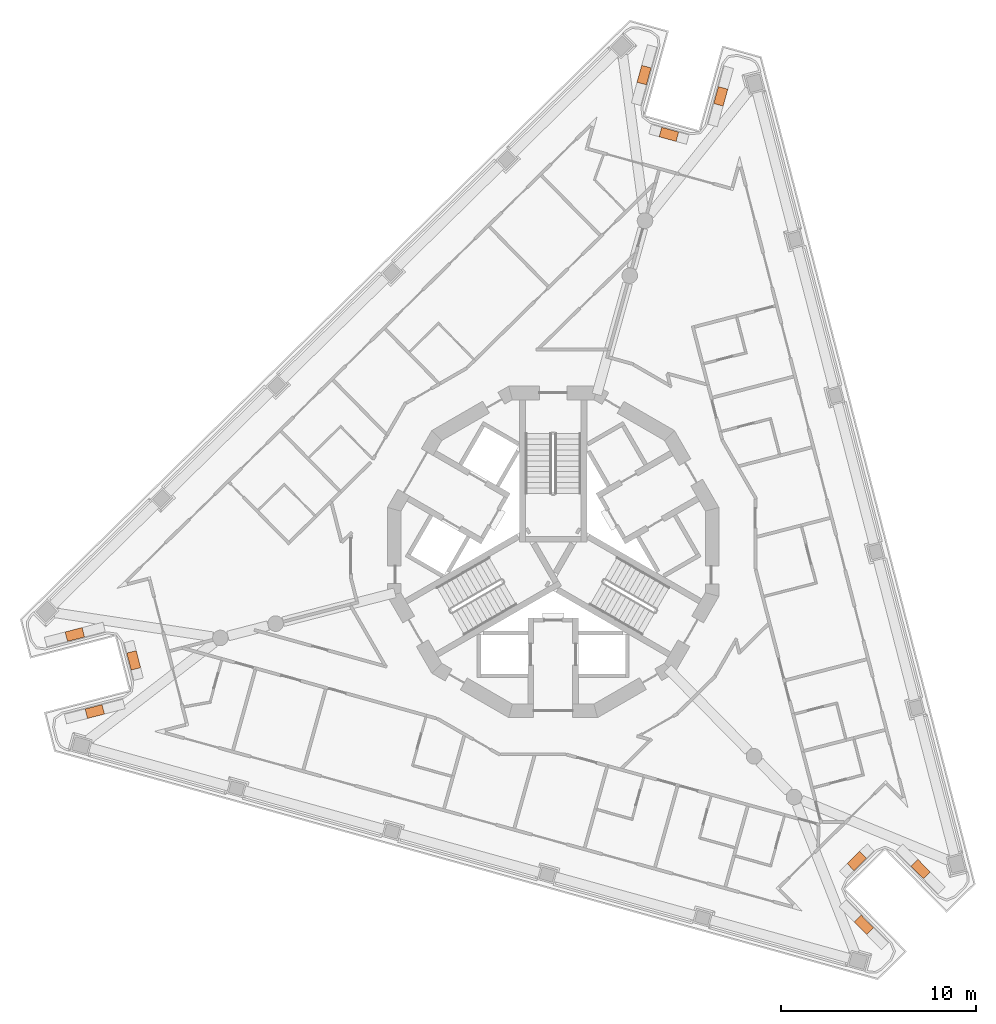
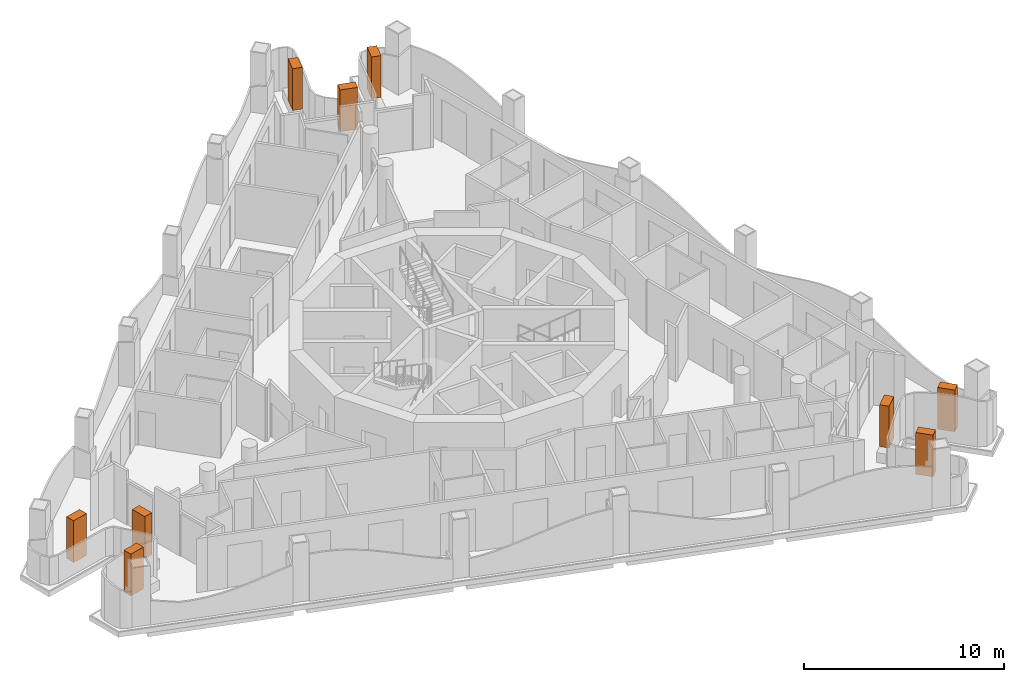
# One storey, part 14 of 14: 9 geographic elements.
"""IFC4 building model written with IfcOpenShell, lengths in metres."""

from ifc_helpers import new_model, si_unit, direction, frame, origin, origin_2d, place, context, subcontext, project, spatial, rectangle, extrude, element, save


model = new_model("IFC4")

# Units and contexts
model_context = context("Model", 3, precision=1e-05, world=origin(), true_north=direction((0.0, 1.0)))
body_context = subcontext(model_context, "Body", "Model", "MODEL_VIEW")
ifc_project = project(units=[si_unit("LENGTHUNIT", "METRE"), si_unit("AREAUNIT", "SQUARE_METRE"), si_unit("VOLUMEUNIT", "CUBIC_METRE"), si_unit("PLANEANGLEUNIT", "RADIAN"), si_unit("MASSUNIT", "GRAM", prefix="KILO")], contexts=[model_context])

# Site, building, storey
site_placement = place(None, origin())
site = spatial("IfcSite", under=ifc_project, at=site_placement, CompositionType="ELEMENT")
building_placement = place(site_placement, origin())
building = spatial("IfcBuilding", under=site, at=building_placement, Name="Trine Commons Tower", CompositionType="ELEMENT")
storey_placement = place(building_placement, frame((0.0, 0.0, 245.699951171875)))
storey = spatial("IfcBuildingStorey", under=building, at=storey_placement, Name="L64", CompositionType="ELEMENT", Elevation=245.699951171875)

# Geographic elements
for number, where, z_axis, x_axis, name in (
    (1, (56.49560546875, 54.314208984375, 0.60009765625), (0.0, 0.0, 1.0), (0.968152010186, 0.250363106652, 0.0), "Tree 1.1"),
    (2, (58.4921875, 56.937744140625, 0.60009765625), (0.0, 0.0, 1.0), (-0.250410419186, 0.968139773981, 0.0), "Tree 2.1"),
    (3, (55.473876953125, 58.264404296875, 0.60009765625), (0.0, 0.0, 1.0), (-0.968152010186, -0.250363106652, 0.0), "Tree 3.1"),
    (4, (84.6630859375, 86.948486328125, 0.60009765625), (0.0, 0.0, 1.0), (-0.26724005793, -0.963629986788, 0.0), "Tree 4.1"),
    (5, (85.936767578125, 83.907470703125, 0.60009765625), (0.0, 0.0, 1.0), (0.963633718069, -0.267226603091, 0.0), "Tree 5.1"),
    (6, (88.5947265625, 85.85791015625, 0.60009765625), (0.0, 0.0, 1.0), (0.26724005793, 0.963629986788, 0.0), "Tree 6.1"),
    (7, (98.84130859375, 46.2373046875, 0.60009765625), (0.0, 0.0, 1.0), (-0.700898060502, 0.713261458923, 0.0), "Tree 7.1"),
    (8, (95.57080078125, 46.65478515625, 0.60009765625), (0.0, 0.0, 1.0), (-0.713239439209, -0.700920467925, 0.0), "Tree 8.1"),
    (9, (95.931396484375, 43.377685546875, 0.60009765625), (0.0, 0.0, 1.0), (0.700898060502, -0.713261458923, 0.0), "Tree 9.1"),
):
    element("IfcGeographicElement", number, at=place(storey_placement, frame(where, z_axis=z_axis, x_axis=x_axis)), inside=storey, Name=name, ObjectType="TREE Tabebuia rosea", PredefinedType="USERDEFINED", context=body_context, shape_type="SweptSolid", body=[
        extrude(rectangle(XDim=0.89990234375, YDim=0.5, at=origin_2d()), origin(), (0.0, 0.0, 1.0), 2.550048828125),
    ])

save(model, "model.ifc")
